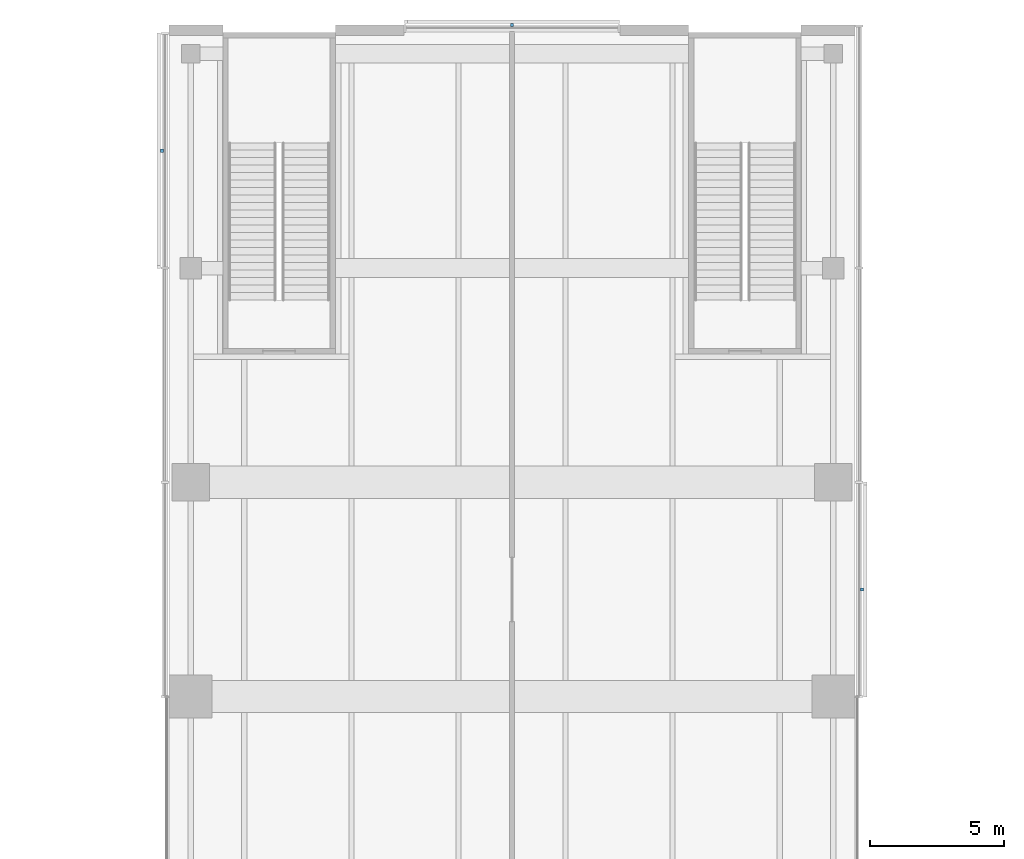
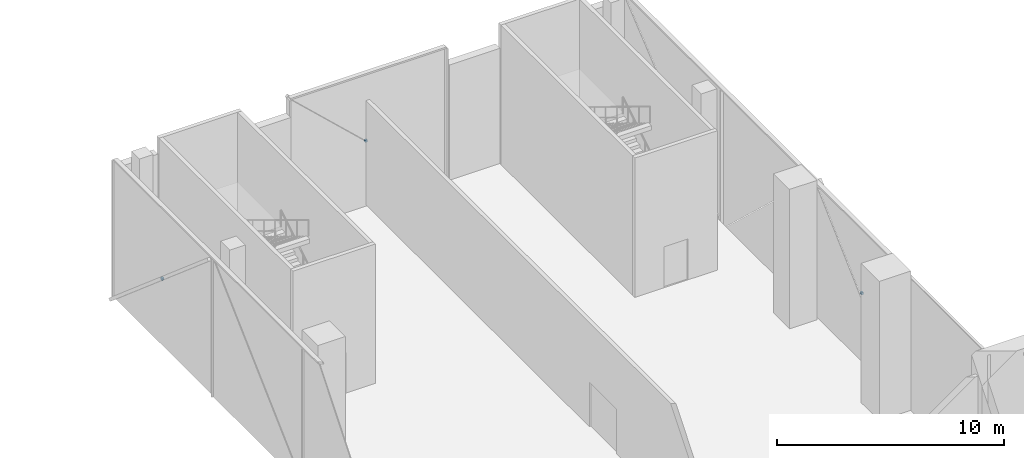
# One storey, part 23 of 25: 3 discrete accessories.
"""IFC4 building model written with IfcOpenShell, lengths in metres."""

from ifc_helpers import new_model, si_unit, direction, frame, origin, origin_2d, place, context, subcontext, project, spatial, rectangle, extrude, material, type_object, element, save


model = new_model("IFC4")

# Units and contexts
model_context = context("Model", 3, precision=1e-05, world=origin(), true_north=direction((0.0, 1.0)))
body_context = subcontext(model_context, "Body", "Model", "MODEL_VIEW")
ifc_project = project(units=[si_unit("LENGTHUNIT", "METRE"), si_unit("AREAUNIT", "SQUARE_METRE"), si_unit("VOLUMEUNIT", "CUBIC_METRE"), si_unit("PLANEANGLEUNIT", "RADIAN"), si_unit("MASSUNIT", "GRAM", prefix="KILO")], contexts=[model_context])

# Site, building, storey
site_placement = place(None, origin())
site = spatial("IfcSite", under=ifc_project, at=site_placement, CompositionType="ELEMENT")
building_placement = place(site_placement, origin())
building = spatial("IfcBuilding", under=site, at=building_placement, Name="Crosswind Convention Tower", CompositionType="ELEMENT")
storey_placement = place(building_placement, frame((0.0, 0.0, 17.5)))
storey = spatial("IfcBuildingStorey", under=building, at=storey_placement, Name="L02", CompositionType="ELEMENT", Elevation=17.5)

# Discrete accessories
ifc_material = material(Name="Stainless steel", Category="steel")
discrete_accessory_type = type_object("IfcDiscreteAccessoryType", Name="BAGUETTE BRACKET BK1", PredefinedType="BRACKET", material=ifc_material)
for number, where, z_axis, x_axis, name in (
    (1, (138.073974609375, 124.0, 3.25), (0.0, 0.0, 1.0), (0.0, 1.0, 0.0), "BK1 baguette bracket"),
    (2, (125.0, 145.073974609375, 3.25), (0.0, 0.0, 1.0), (-1.0, 0.0, 0.0), "BK1 baguette bracket"),
    (3, (111.926025390625, 140.3798828125, 3.25), (0.0, 0.0, 1.0), (0.0, -1.0, 0.0), "BK1 baguette bracket"),
):
    element("IfcDiscreteAccessory", number, at=place(storey_placement, frame(where, z_axis=z_axis, x_axis=x_axis)), inside=storey, type_object=discrete_accessory_type, Name=name, PredefinedType="BRACKET", context=body_context, shape_type="SweptSolid", body=[
        extrude(rectangle(XDim=0.1201171875, YDim=0.10009765625, at=origin_2d()), origin(), (0.0, 0.0, 1.0), 0.1201171875),
    ])

save(model, "model.ifc")
